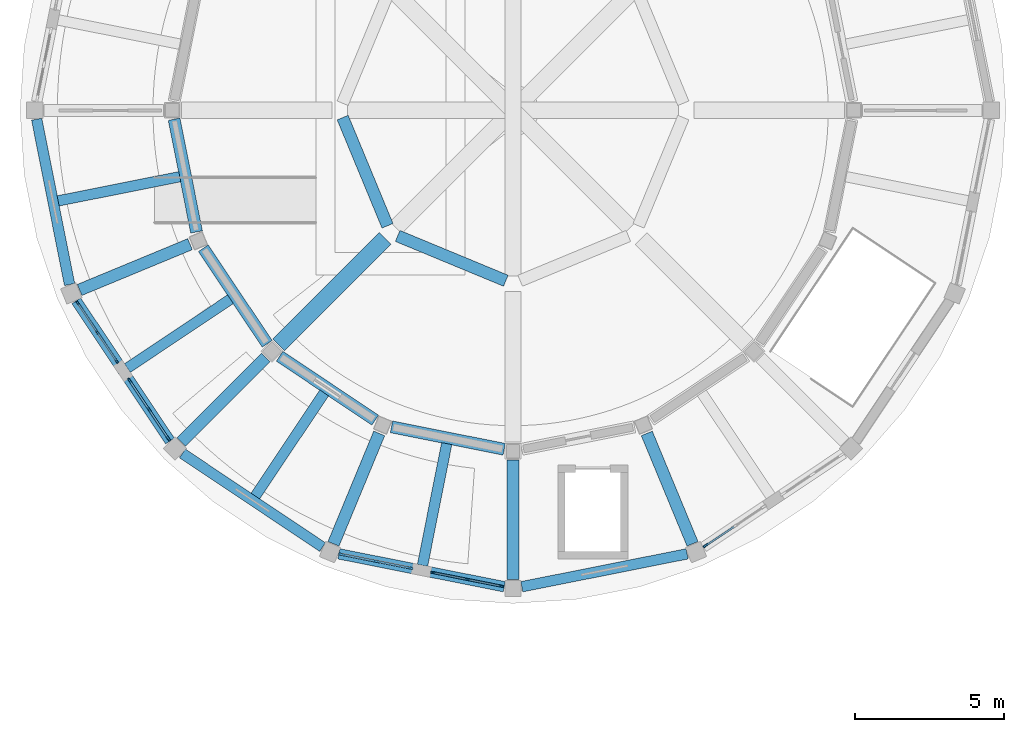
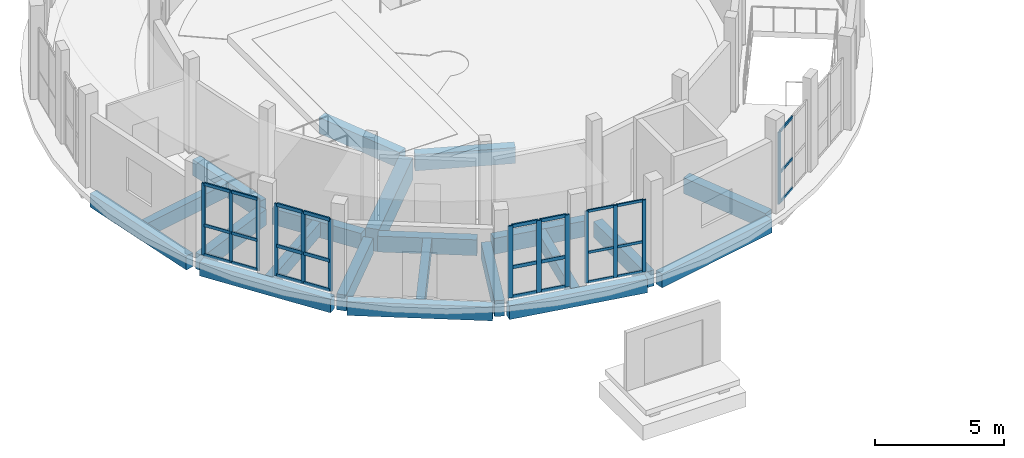
# One storey, part 37 of 92: 40 members, 21 beams, 5 elements without a shape of their own.
"""IFC4 building model written with IfcOpenShell, lengths in metres."""

import ifcopenshell
import ifcopenshell.guid

model = None  # the IFC model being written
_history = None  # IfcOwnerHistory: only IFC2X3 demands one
_inside = {}  # id of a spatial element -> (the spatial element, [elements in it])
_under = {}  # id of a project, library or spatial element -> (it, [spatial elements below it])
_declared = {}  # id of a project -> (the project, [libraries it declares])
_typed = {}  # id of a type object -> (the type object, [elements of that type])
_made_of = {}  # id of a material, layer set ... -> (it, [elements and type objects made of it])


def new_model(schema):
    """Start an empty IFC model of exactly this schema.

    Asked for "IFC4X3", IfcOpenShell would pick the latest addendum, in which some entities
    have other attributes; the version numbers below select the first issue.
    IFC2X3 requires an IfcOwnerHistory on every rooted entity: one is made here for all.
    """
    global model, _history
    if schema == "IFC4X3":
        model = ifcopenshell.file(schema_version=(4, 3, 0, 0))
    else:
        model = ifcopenshell.file(schema=schema)
    _inside.clear()
    _under.clear()
    _declared.clear()
    _typed.clear()
    _made_of.clear()
    _history = None
    if model.schema == "IFC2X3":
        org = make("IfcOrganization", Name="unknown")
        user = make(
            "IfcPersonAndOrganization",
            ThePerson=make("IfcPerson", FamilyName="unknown"),
            TheOrganization=org,
        )
        app = make(
            "IfcApplication",
            ApplicationDeveloper=org,
            Version="unknown",
            ApplicationFullName="unknown",
            ApplicationIdentifier="unknown",
        )
        _history = make(
            "IfcOwnerHistory",
            OwningUser=user,
            OwningApplication=app,
            ChangeAction="ADDED",
            CreationDate=0,
        )
    return model


def make(cls, **values):
    """One entity of the class cls with the attributes given. An attribute that is None is left unset."""
    return model.create_entity(
        cls, **{name: value for name, value in values.items() if value is not None}
    )


def rooted(cls, **values):
    """An entity with a GlobalId (a new one), such as an element, a storey or a relation."""
    return make(cls, GlobalId=ifcopenshell.guid.new(), OwnerHistory=_history, **values)


def si_unit(unit_type, name, prefix=None):
    """IfcSIUnit, for example si_unit("LENGTHUNIT", "METRE", prefix="MILLI")."""
    return make("IfcSIUnit", UnitType=unit_type, Prefix=prefix, Name=name)


def assignment(units):
    """IfcUnitAssignment: the units of a project."""
    return None if units is None else make("IfcUnitAssignment", Units=units)


def point(xyz):
    """IfcCartesianPoint."""
    return None if xyz is None else make("IfcCartesianPoint", Coordinates=xyz)


def direction(xyz):
    """IfcDirection."""
    return None if xyz is None else make("IfcDirection", DirectionRatios=xyz)


def frame(location, z_axis=None, x_axis=None):
    """IfcAxis2Placement3D, a coordinate frame: its origin and axes. An axis left out is left unset."""
    return make(
        "IfcAxis2Placement3D",
        Location=point(location),
        Axis=direction(z_axis),
        RefDirection=direction(x_axis),
    )


def frame_2d(location, x_axis=None):
    """IfcAxis2Placement2D, a coordinate frame in the plane: its origin and x axis."""
    return make(
        "IfcAxis2Placement2D", Location=point(location), RefDirection=direction(x_axis)
    )


def origin():
    """The frame at (0, 0, 0) with its axes left unset."""
    return frame((0.0, 0.0, 0.0))


def origin_2d():
    """The frame at (0, 0) in the plane with its x axis left unset."""
    return frame_2d((0.0, 0.0))


def place(relative_to, where):
    """IfcLocalPlacement: puts the frame where relative to a parent placement (None: the world)."""
    return make(
        "IfcLocalPlacement", PlacementRelTo=relative_to, RelativePlacement=where
    )


def context(
    kind, dimensions, precision=None, world=None, true_north=None, identifier=None
):
    """IfcGeometricRepresentationContext, for example the 3D "Model" context."""
    return make(
        "IfcGeometricRepresentationContext",
        ContextIdentifier=identifier,
        ContextType=kind,
        CoordinateSpaceDimension=dimensions,
        Precision=precision,
        WorldCoordinateSystem=world,
        TrueNorth=true_north,
    )


def subcontext(parent, identifier, kind, view, scale=None):
    """IfcGeometricRepresentationSubContext, for example "Body" below "Model"."""
    return make(
        "IfcGeometricRepresentationSubContext",
        ContextIdentifier=identifier,
        ContextType=kind,
        ParentContext=parent,
        TargetScale=scale,
        TargetView=view,
    )


def project(units=None, contexts=None):
    """IfcProject with its units and contexts."""
    return rooted(
        "IfcProject",
        Name="project",
        RepresentationContexts=contexts,
        UnitsInContext=assignment(units),
    )


def spatial(cls, under=None, at=None, **own):
    """A site, building, storey or space (cls), placed at a placement, below another one or the project."""
    s = rooted(cls, ObjectPlacement=at, **own)
    if under is not None:
        _under.setdefault(under.id(), (under, []))[1].append(s)
    return s


def profile(cls, at=None, kind="AREA", **sizes):
    """A parametric profile (cls). Its sizes go by their IFC names, for example OverallWidth=200.0."""
    return make(cls, ProfileType=kind, Position=at, **sizes)


def rectangle(**sizes):
    """IfcRectangleProfileDef."""
    return profile("IfcRectangleProfileDef", **sizes)


def extrude(swept, where, along, depth):
    """IfcExtrudedAreaSolid: the profile swept, set in the frame where, extruded along a direction by depth."""
    return make(
        "IfcExtrudedAreaSolid",
        SweptArea=swept,
        Position=where,
        ExtrudedDirection=direction(along),
        Depth=depth,
    )


def shape(context_of_items, identifier, shape_type, items):
    """IfcShapeRepresentation: the items that make up one representation, for example the "Body"."""
    return make(
        "IfcShapeRepresentation",
        ContextOfItems=context_of_items,
        RepresentationIdentifier=identifier,
        RepresentationType=shape_type,
        Items=items,
    )


def material(Name=None, Category=None):
    """IfcMaterial."""
    return make("IfcMaterial", Name=Name, Category=Category)


def layer(
    of_material, thickness, ventilated=None, Name=None, Category=None, Priority=None
):
    """IfcMaterialLayer: one layer of a wall or slab, of a material (None: an air gap)."""
    return make(
        "IfcMaterialLayer",
        Material=of_material,
        LayerThickness=thickness,
        IsVentilated=ventilated,
        Name=Name,
        Category=Category,
        Priority=Priority,
    )


def layer_set(layers, Name=None):
    """IfcMaterialLayerSet."""
    return make("IfcMaterialLayerSet", MaterialLayers=layers, LayerSetName=Name)


def material_profile(
    of_material, cross_section, Name=None, Category=None, Priority=None
):
    """IfcMaterialProfile: a cross section and its material."""
    return make(
        "IfcMaterialProfile",
        Name=Name,
        Material=of_material,
        Profile=cross_section,
        Priority=Priority,
        Category=Category,
    )


def profile_set(profiles, Name=None, composite=None):
    """IfcMaterialProfileSet."""
    return make(
        "IfcMaterialProfileSet",
        Name=Name,
        MaterialProfiles=profiles,
        CompositeProfile=composite,
    )


def made_of(thing, what):
    """Note that an element or type object is made of a material, layer set ...; save() writes the relation."""
    if what is not None:
        _made_of.setdefault(what.id(), (what, []))[1].append(thing)
    return thing


def type_object(cls, material=None, **own):
    """A type object (cls), such as IfcWallType, which elements share."""
    return made_of(rooted(cls, **own), material)


def element(
    cls,
    number,
    at=None,
    inside=None,
    cuts=None,
    type_object=None,
    material=None,
    context=None,
    identifier="Body",
    shape_type=None,
    held_by="IfcProductDefinitionShape",
    body=None,
    shapes=None,
    **own,
):
    """One element of the class cls, such as IfcWall. Its Tag is "e" and its number.

    at: its placement. inside: the storey or other place that contains it. cuts: it is an
    opening in that element (IfcRelVoidsElement). A single representation is given by context,
    identifier, shape_type and body (its items); several are given by shapes. held_by: the class
    of the entity that holds the representations. save() writes the other relations.
    """
    e = rooted(cls, Tag="e%d" % number, ObjectPlacement=at, **own)
    if body is not None:
        shapes = [shape(context, identifier, shape_type, body)]
    if shapes is not None:
        e.Representation = make(held_by, Representations=shapes)
    if inside is not None:
        _inside.setdefault(inside.id(), (inside, []))[1].append(e)
    if cuts is not None:
        rooted(
            "IfcRelVoidsElement", RelatingBuildingElement=cuts, RelatedOpeningElement=e
        )
    if type_object is not None:
        _typed.setdefault(type_object.id(), (type_object, []))[1].append(e)
    return made_of(e, material)


def aggregate(whole, parts):
    """IfcRelAggregates: a whole, such as a stair, and the parts it consists of."""
    return rooted("IfcRelAggregates", RelatingObject=whole, RelatedObjects=parts)


def save(model, path):
    """Write the relations noted so far, then the file.

    IfcRelAggregates (storeys below a building ...), IfcRelContainedInSpatialStructure (elements
    in a storey), IfcRelDefinesByType, IfcRelAssociatesMaterial and IfcRelDeclares: one each for
    every whole, place, type object, material and project.
    """
    for whole, parts in _under.values():
        aggregate(whole, parts)
    for where, things in _inside.values():
        rooted(
            "IfcRelContainedInSpatialStructure",
            RelatedElements=things,
            RelatingStructure=where,
        )
    for kind, things in _typed.values():
        rooted("IfcRelDefinesByType", RelatedObjects=things, RelatingType=kind)
    for what, things in _made_of.values():
        rooted("IfcRelAssociatesMaterial", RelatedObjects=things, RelatingMaterial=what)
    for by, libraries in _declared.values():
        rooted("IfcRelDeclares", RelatingContext=by, RelatedDefinitions=libraries)
    model.write(path)


model = new_model("IFC4")

# Units and contexts
model_context = context("Model", 3, precision=1e-05, world=origin(), true_north=direction((0.0, 1.0)))
body_context = subcontext(model_context, "Body", "Model", "MODEL_VIEW")
ifc_project = project(units=[si_unit("LENGTHUNIT", "METRE"), si_unit("AREAUNIT", "SQUARE_METRE"), si_unit("VOLUMEUNIT", "CUBIC_METRE"), si_unit("PLANEANGLEUNIT", "RADIAN"), si_unit("MASSUNIT", "GRAM", prefix="KILO")], contexts=[model_context])

# Site, building, storey
site_placement = place(None, origin())
site = spatial("IfcSite", under=ifc_project, at=site_placement, CompositionType="ELEMENT")
building_placement = place(site_placement, origin())
building = spatial("IfcBuilding", under=site, at=building_placement, Name="Caldaven Crescent School", CompositionType="ELEMENT")
storey_placement = place(building_placement, origin())
storey = spatial("IfcBuildingStorey", under=building, at=storey_placement, Name="L00", CompositionType="ELEMENT", Elevation=0.0)

# Beams
ifc_material_1 = material(Name="Concrete C30/37", Category="concrete")
ifc_material_profile_1 = material_profile(ifc_material_1, rectangle(XDim=0.35009765625, YDim=0.64990234375, at=origin_2d()), Name="RC 350x650")
ifc_profile_set_1 = profile_set([ifc_material_profile_1], Name="Concrete C30/37")
beam_type_1 = type_object("IfcBeamType", Name="BM-RC35", PredefinedType="BEAM", material=ifc_profile_set_1)
beam_1_placement = place(storey_placement, frame((12.34765625, 96.28173828125, -0.5849609375), z_axis=(-0.980781447665, -0.195109589505, 0.0), x_axis=(0.195109589505, -0.980781447665, 0.0)))
element("IfcBeam", 1, at=beam_1_placement, inside=storey, type_object=beam_type_1, Name="JS-V2-L00-0256", PredefinedType="BEAM", context=body_context, shape_type="SweptSolid", body=[
    extrude(rectangle(XDim=0.35009765625, YDim=0.64990234375, at=origin_2d()), origin(), (0.0, 0.0, 1.0), 4.15185546875),
])
for number, where, z_axis, x_axis, name in (
    (2, (14.04541015625, 92.1826171875, -0.5849609375), (-0.831479874258, -0.55555487461, 0.0), (0.55555487461, -0.831479874258, 0.0), "JS-V2-L00-0260"),
    (3, (17.1826171875, 89.04541015625, -0.5849609375), (-0.55555487461, -0.831479874258, 0.0), (0.831479874258, -0.55555487461, 0.0), "JS-V2-L00-0266"),
):
    element("IfcBeam", number, at=place(storey_placement, frame(where, z_axis=z_axis, x_axis=x_axis)), inside=storey, type_object=beam_type_1, Name=name, PredefinedType="BEAM", context=body_context, shape_type="SweptSolid", body=[
        extrude(rectangle(XDim=0.35009765625, YDim=0.64990234375, at=origin_2d()), origin(), (0.0, 0.0, 1.0), 4.151611328125),
    ])
beam_2_placement = place(storey_placement, frame((21.28173828125, 87.34765625, -0.5849609375), z_axis=(-0.195109589505, -0.980781447665, 0.0), x_axis=(0.980781447665, -0.195109589505, 0.0)))
element("IfcBeam", 4, at=beam_2_placement, inside=storey, type_object=beam_type_1, Name="JS-V2-L00-0270", PredefinedType="BEAM", context=body_context, shape_type="SweptSolid", body=[
    extrude(rectangle(XDim=0.35009765625, YDim=0.64990234375, at=origin_2d()), origin(), (0.0, 0.0, 1.0), 4.15185546875),
])
ifc_material_2 = material(Name="Concrete C35/45", Category="concrete")
ifc_material_profile_2 = material_profile(ifc_material_2, rectangle(XDim=0.39990234375, YDim=0.75, at=origin_2d()), Name="RC 400x750")
ifc_profile_set_2 = profile_set([ifc_material_profile_2], Name="Concrete C35/45")
beam_type_2 = type_object("IfcBeamType", Name="BM-RC40", PredefinedType="BEAM", material=ifc_profile_set_2)
beam_3_placement = place(storey_placement, frame((17.799560546875, 98.259765625, -0.635009765625), z_axis=(0.382672726631, -0.923883966899, 0.0), x_axis=(0.923883966899, 0.382672726631, 0.0)))
element("IfcBeam", 5, at=beam_3_placement, inside=storey, type_object=beam_type_2, Name="BM-V2-L00-0251", PredefinedType="BEAM", context=body_context, shape_type="SweptSolid", body=[
    extrude(rectangle(XDim=0.39990234375, YDim=0.75, at=origin_2d()), origin(), (0.0, 0.0, 1.0), 3.919189453125),
])
beam_4_placement = place(storey_placement, frame((12.158447265625, 98.205810546875, -0.635009765625), z_axis=(0.195091158895, -0.980785113937, 0.0), x_axis=(0.980785113937, 0.195091158895, 0.0)))
element("IfcBeam", 6, at=beam_4_placement, inside=storey, type_object=beam_type_2, Name="BM-V2-L00-0254", PredefinedType="BEAM", context=body_context, shape_type="SweptSolid", body=[
    extrude(rectangle(XDim=0.39990234375, YDim=0.75, at=origin_2d()), origin(), (0.0, 0.0, 1.0), 3.84814453125),
])
beam_5_placement = place(storey_placement, frame((12.690673828125, 94.022705078125, -0.635009765625), z_axis=(-0.923878468529, -0.382686001036, 0.0), x_axis=(0.382686001036, -0.923878468529, 0.0)))
element("IfcBeam", 7, at=beam_5_placement, inside=storey, type_object=beam_type_2, Name="BM-V2-L00-0257", PredefinedType="BEAM", context=body_context, shape_type="SweptSolid", body=[
    extrude(rectangle(XDim=0.39990234375, YDim=0.75, at=origin_2d()), origin(), (0.0, 0.0, 1.0), 4.0),
])
beam_6_placement = place(storey_placement, frame((13.134521484375, 93.887939453125, -0.635009765625), z_axis=(0.555549132006, -0.831483711162, 0.0), x_axis=(0.831483711162, 0.555549132006, 0.0)))
element("IfcBeam", 8, at=beam_6_placement, inside=storey, type_object=beam_type_2, Name="BM-V2-L00-0258", PredefinedType="BEAM", context=body_context, shape_type="SweptSolid", body=[
    extrude(rectangle(XDim=0.39990234375, YDim=0.75, at=origin_2d()), origin(), (0.0, 0.0, 1.0), 3.847900390625),
])
beam_7_placement = place(storey_placement, frame((19.638916015625, 94.29931640625, -0.635009765625), z_axis=(0.923883966899, -0.382672726631, 0.0), x_axis=(0.382672726631, 0.923883966899, 0.0)))
element("IfcBeam", 9, at=beam_7_placement, inside=storey, type_object=beam_type_2, Name="BM-V2-L00-0261", PredefinedType="BEAM", context=body_context, shape_type="SweptSolid", body=[
    extrude(rectangle(XDim=0.39990234375, YDim=0.75, at=origin_2d()), origin(), (0.0, 0.0, 1.0), 3.919189453125),
])
beam_8_placement = place(storey_placement, frame((15.226806640625, 90.226806640625, -0.635009765625), z_axis=(-0.707106781187, -0.707106781187, 0.0), x_axis=(0.707106781187, -0.707106781187, 0.0)))
element("IfcBeam", 10, at=beam_8_placement, inside=storey, type_object=beam_type_2, Name="BM-V2-L00-0263", PredefinedType="BEAM", context=body_context, shape_type="SweptSolid", body=[
    extrude(rectangle(XDim=0.39990234375, YDim=0.75, at=origin_2d()), origin(), (0.0, 0.0, 1.0), 4.0),
])
beam_9_placement = place(storey_placement, frame((15.6884765625, 90.272216796875, -0.635009765625), z_axis=(0.831483711162, -0.555549132006, 0.0), x_axis=(0.555549132006, 0.831483711162, 0.0)))
element("IfcBeam", 11, at=beam_9_placement, inside=storey, type_object=beam_type_2, Name="BM-V2-L00-0264", PredefinedType="BEAM", context=body_context, shape_type="SweptSolid", body=[
    extrude(rectangle(XDim=0.39990234375, YDim=0.75, at=origin_2d()), origin(), (0.0, 0.0, 1.0), 3.847900390625),
])
beam_10_placement = place(storey_placement, frame((19.022705078125, 87.690673828125, -0.635009765625), z_axis=(-0.382686001036, -0.923878468529, 0.0), x_axis=(0.923878468529, -0.382686001036, 0.0)))
element("IfcBeam", 12, at=beam_10_placement, inside=storey, type_object=beam_type_2, Name="BM-V2-L00-0267", PredefinedType="BEAM", context=body_context, shape_type="SweptSolid", body=[
    extrude(rectangle(XDim=0.39990234375, YDim=0.75, at=origin_2d()), origin(), (0.0, 0.0, 1.0), 4.0),
])
beam_11_placement = place(storey_placement, frame((19.431640625, 87.9091796875, -0.635009765625), z_axis=(0.980785113937, -0.195091158895, 0.0), x_axis=(0.195091158895, 0.980785113937, 0.0)))
element("IfcBeam", 13, at=beam_11_placement, inside=storey, type_object=beam_type_2, Name="BM-V2-L00-0268", PredefinedType="BEAM", context=body_context, shape_type="SweptSolid", body=[
    extrude(rectangle(XDim=0.39990234375, YDim=0.75, at=origin_2d()), origin(), (0.0, 0.0, 1.0), 3.84814453125),
])
for number, where, z_axis, x_axis, name in (
    (14, (23.5, 86.800048828125, -0.635009765625), (0.0, -1.0, 0.0), (1.0, 0.0, 0.0), "BM-V2-L00-0273"),
    (15, (27.977294921875, 87.690673828125, -0.635009765625), (0.382686001036, -0.923878468529, 0.0), (0.923878468529, 0.382686001036, 0.0), "BM-V2-L00-0276"),
):
    element("IfcBeam", number, at=place(storey_placement, frame(where, z_axis=z_axis, x_axis=x_axis)), inside=storey, type_object=beam_type_2, Name=name, PredefinedType="BEAM", context=body_context, shape_type="SweptSolid", body=[
        extrude(rectangle(XDim=0.39990234375, YDim=0.75, at=origin_2d()), origin(), (0.0, 0.0, 1.0), 4.0),
    ])
ifc_material_profile_3 = material_profile(ifc_material_2, rectangle(XDim=0.550048828125, YDim=1.050048828125, at=origin_2d()), Name="RC 550x1050")
ifc_profile_set_3 = profile_set([ifc_material_profile_3], Name="Concrete C35/45")
beam_type_3 = type_object("IfcBeamType", Name="BM-RC55", PredefinedType="BEAM", material=ifc_profile_set_3)
beam_12_placement = place(storey_placement, frame((19.21484375, 94.21484375, -0.784912109375), z_axis=(-0.707106781187, -0.707106781187, 0.0), x_axis=(0.707106781187, -0.707106781187, 0.0)))
element("IfcBeam", 16, at=beam_12_placement, inside=storey, type_object=beam_type_3, Name="BM-V2-L00-0262", PredefinedType="BEAM", context=body_context, shape_type="SweptSolid", body=[
    extrude(rectangle(XDim=0.550048828125, YDim=1.050048828125, at=origin_2d()), origin(), (0.0, 0.0, 1.0), 5.039794921875),
])

# Curtain wall, members
ifc_material_3 = material(Name="Anodised aluminium AA 6063-T6 and low-E double glazing", Category="aluminium")
ifc_layer_1 = layer(ifc_material_3, 0.18994140625)
ifc_layer_set_1 = layer_set([ifc_layer_1], Name="Anodised aluminium AA 6063-T6 and low-E double glazing")
curtain_wall_type_1 = type_object("IfcCurtainWallType", Name="CW-SYS2", PredefinedType="NOTDEFINED", material=ifc_layer_set_1)
curtain_wall_1_placement = place(storey_placement, origin())
curtain_wall_1 = element("IfcCurtainWall", 17, at=curtain_wall_1_placement, inside=storey, type_object=curtain_wall_type_1, Name="CW-L00-049", PredefinedType="NOTDEFINED")
ifc_material_4 = material(Name="Anodised aluminium AA 6063-T6", Category="aluminium")
ifc_material_profile_4 = material_profile(ifc_material_4, rectangle(XDim=0.06005859375, YDim=0.14990234375, at=origin_2d()), Name="CWM 60x150")
ifc_profile_set_4 = profile_set([ifc_material_profile_4], Name="Anodised aluminium AA 6063-T6")
member_type_1 = type_object("IfcMemberType", Name="CWM-T1", PredefinedType="MULLION", material=ifc_profile_set_4)
member_1_placement = place(storey_placement, frame((8.9345703125, 92.052734375, 0.0), z_axis=(0.0, 0.0, 1.0), x_axis=(0.831470060825, 0.555569561758, 0.0)))
member_1 = element("IfcMember", 18, at=member_1_placement, type_object=member_type_1, Name="CW2 mullion 1", PredefinedType="MULLION", context=body_context, shape_type="SweptSolid", body=[
    extrude(rectangle(XDim=0.06005859375, YDim=0.14990234375, at=origin_2d()), origin(), (0.0, 0.0, 1.0), 3.39990234375),
])
member_2_placement = place(storey_placement, frame((9.5849609375, 91.079345703125, 0.0), z_axis=(0.0, 0.0, 1.0), x_axis=(0.831470060825, 0.555569561758, 0.0)))
member_2 = element("IfcMember", 19, at=member_2_placement, type_object=member_type_1, Name="CW2 mullion 2", PredefinedType="MULLION", context=body_context, shape_type="SweptSolid", body=[
    extrude(rectangle(XDim=0.06005859375, YDim=0.14990234375, at=origin_2d()), origin(), (0.0, 0.0, 1.0), 3.39990234375),
])
member_3_placement = place(storey_placement, frame((10.2353515625, 90.10595703125, 0.0), z_axis=(0.0, 0.0, 1.0), x_axis=(0.831470060825, 0.555569561758, 0.0)))
member_3 = element("IfcMember", 20, at=member_3_placement, type_object=member_type_1, Name="CW2 mullion 3", PredefinedType="MULLION", context=body_context, shape_type="SweptSolid", body=[
    extrude(rectangle(XDim=0.06005859375, YDim=0.14990234375, at=origin_2d()), origin(), (0.0, 0.0, 1.0), 3.39990234375),
])

ifc_layer_2 = layer(ifc_material_3, 0.169921875)
ifc_layer_set_2 = layer_set([ifc_layer_2], Name="Anodised aluminium AA 6063-T6 and low-E double glazing")
curtain_wall_type_2 = type_object("IfcCurtainWallType", Name="CW-SYS1", PredefinedType="NOTDEFINED", material=ifc_layer_set_2)
curtain_wall_2_placement = place(storey_placement, origin())
curtain_wall_2 = element("IfcCurtainWall", 21, at=curtain_wall_2_placement, inside=storey, type_object=curtain_wall_type_2, Name="CW-L00-052", PredefinedType="NOTDEFINED")
member_4_placement = place(storey_placement, frame((20.821044921875, 83.032958984375, 0.0), z_axis=(0.0, 0.0, 1.0), x_axis=(0.19509100343, 0.980785144861, 0.0)))
member_4 = element("IfcMember", 22, at=member_4_placement, type_object=member_type_1, Name="CW1 mullion 1", PredefinedType="MULLION", context=body_context, shape_type="SweptSolid", body=[
    extrude(rectangle(XDim=0.06005859375, YDim=0.14990234375, at=origin_2d()), origin(), (0.0, 0.0, 1.0), 3.39990234375),
])
member_5_placement = place(storey_placement, frame((21.96923828125, 82.804443359375, 0.0), z_axis=(0.0, 0.0, 1.0), x_axis=(0.19509100343, 0.980785144861, 0.0)))
member_5 = element("IfcMember", 23, at=member_5_placement, type_object=member_type_1, Name="CW1 mullion 2", PredefinedType="MULLION", context=body_context, shape_type="SweptSolid", body=[
    extrude(rectangle(XDim=0.06005859375, YDim=0.14990234375, at=origin_2d()), origin(), (0.0, 0.0, 1.0), 3.39990234375),
])
member_6_placement = place(storey_placement, frame((23.117431640625, 82.576171875, 0.0), z_axis=(0.0, 0.0, 1.0), x_axis=(0.19509100343, 0.980785144861, 0.0)))
member_6 = element("IfcMember", 24, at=member_6_placement, type_object=member_type_1, Name="CW1 mullion 3", PredefinedType="MULLION", context=body_context, shape_type="SweptSolid", body=[
    extrude(rectangle(XDim=0.06005859375, YDim=0.14990234375, at=origin_2d()), origin(), (0.0, 0.0, 1.0), 3.39990234375),
])

ifc_layer_3 = layer(ifc_material_3, 0.2099609375)
ifc_layer_set_3 = layer_set([ifc_layer_3], Name="Anodised aluminium AA 6063-T6 and low-E double glazing")
curtain_wall_type_3 = type_object("IfcCurtainWallType", Name="CW-SYS3", PredefinedType="NOTDEFINED", material=ifc_layer_set_3)
curtain_wall_3_placement = place(storey_placement, origin())
curtain_wall_3 = element("IfcCurtainWall", 25, at=curtain_wall_3_placement, inside=storey, type_object=curtain_wall_type_3, Name="CW-L00-050", PredefinedType="NOTDEFINED")
ifc_material_profile_5 = material_profile(ifc_material_4, rectangle(XDim=0.06494140625, YDim=0.179931640625, at=origin_2d()), Name="CWM 65x180")
ifc_profile_set_5 = profile_set([ifc_material_profile_5], Name="Anodised aluminium AA 6063-T6")
member_type_2 = type_object("IfcMemberType", Name="CWM-T2", PredefinedType="MULLION", material=ifc_profile_set_5)
member_7_placement = place(storey_placement, frame((10.670166015625, 89.455322265625, 0.0), z_axis=(0.0, 0.0, 1.0), x_axis=(0.831468137234, 0.555572440609, 0.0)))
member_7 = element("IfcMember", 26, at=member_7_placement, type_object=member_type_2, Name="CW3 mullion 1", PredefinedType="MULLION", context=body_context, shape_type="SweptSolid", body=[
    extrude(rectangle(XDim=0.06494140625, YDim=0.179931640625, at=origin_2d()), origin(), (0.0, 0.0, 1.0), 3.39990234375),
])
member_8_placement = place(storey_placement, frame((11.319091796875, 88.48388671875, 0.0), z_axis=(0.0, 0.0, 1.0), x_axis=(0.831468137234, 0.555572440609, 0.0)))
member_8 = element("IfcMember", 27, at=member_8_placement, type_object=member_type_2, Name="CW3 mullion 2", PredefinedType="MULLION", context=body_context, shape_type="SweptSolid", body=[
    extrude(rectangle(XDim=0.06494140625, YDim=0.179931640625, at=origin_2d()), origin(), (0.0, 0.0, 1.0), 3.39990234375),
])
member_9_placement = place(storey_placement, frame((11.96826171875, 87.5126953125, 0.0), z_axis=(0.0, 0.0, 1.0), x_axis=(0.831468137234, 0.555572440609, 0.0)))
member_9 = element("IfcMember", 28, at=member_9_placement, type_object=member_type_2, Name="CW3 mullion 3", PredefinedType="MULLION", context=body_context, shape_type="SweptSolid", body=[
    extrude(rectangle(XDim=0.06494140625, YDim=0.179931640625, at=origin_2d()), origin(), (0.0, 0.0, 1.0), 3.39990234375),
])

# Curtain wall, member
curtain_wall_4_placement = place(storey_placement, origin())
curtain_wall_4 = element("IfcCurtainWall", 29, at=curtain_wall_4_placement, inside=storey, type_object=curtain_wall_type_1, Name="CW-L00-053", PredefinedType="NOTDEFINED")
member_10_placement = place(storey_placement, frame((29.94921875, 83.93603515625, 0.0), z_axis=(0.0, 0.0, 1.0), x_axis=(-0.555569561758, 0.831470060825, 0.0)))
member_10 = element("IfcMember", 30, at=member_10_placement, type_object=member_type_2, Name="CW2 mullion 1", PredefinedType="MULLION", context=body_context, shape_type="SweptSolid", body=[
    extrude(rectangle(XDim=0.06494140625, YDim=0.179931640625, at=origin_2d()), origin(), (0.0, 0.0, 1.0), 3.39990234375),
])

# Curtain wall, members
ifc_layer_4 = layer(ifc_material_3, 0.22998046875)
ifc_layer_set_4 = layer_set([ifc_layer_4], Name="Anodised aluminium AA 6063-T6 and low-E double glazing")
curtain_wall_type_4 = type_object("IfcCurtainWallType", Name="CW-SYS4", PredefinedType="NOTDEFINED", material=ifc_layer_set_4)
curtain_wall_5_placement = place(storey_placement, origin())
curtain_wall_5 = element("IfcCurtainWall", 31, at=curtain_wall_5_placement, inside=storey, type_object=curtain_wall_type_4, Name="CW-L00-051", PredefinedType="NOTDEFINED")
ifc_material_profile_6 = material_profile(ifc_material_4, rectangle(XDim=0.070068359375, YDim=0.2099609375, at=origin_2d()), Name="CWM 70x210")
ifc_profile_set_6 = profile_set([ifc_material_profile_6], Name="Anodised aluminium AA 6063-T6")
member_type_3 = type_object("IfcMemberType", Name="CWM-T3", PredefinedType="MULLION", material=ifc_profile_set_6)
member_11_placement = place(storey_placement, frame((17.764404296875, 83.640869140625, 0.0), z_axis=(0.0, 0.0, 1.0), x_axis=(0.195086997747, 0.980785941636, 0.0)))
member_11 = element("IfcMember", 32, at=member_11_placement, type_object=member_type_3, Name="CW4 mullion 1", PredefinedType="MULLION", context=body_context, shape_type="SweptSolid", body=[
    extrude(rectangle(XDim=0.070068359375, YDim=0.2099609375, at=origin_2d()), origin(), (0.0, 0.0, 1.0), 3.39990234375),
])
member_12_placement = place(storey_placement, frame((18.90771484375, 83.413330078125, 0.0), z_axis=(0.0, 0.0, 1.0), x_axis=(0.195086997747, 0.980785941636, 0.0)))
member_12 = element("IfcMember", 33, at=member_12_placement, type_object=member_type_3, Name="CW4 mullion 2", PredefinedType="MULLION", context=body_context, shape_type="SweptSolid", body=[
    extrude(rectangle(XDim=0.070068359375, YDim=0.2099609375, at=origin_2d()), origin(), (0.0, 0.0, 1.0), 3.39990234375),
])
member_13_placement = place(storey_placement, frame((20.051025390625, 83.18603515625, 0.0), z_axis=(0.0, 0.0, 1.0), x_axis=(0.195086997747, 0.980785941636, 0.0)))
member_13 = element("IfcMember", 34, at=member_13_placement, type_object=member_type_3, Name="CW4 mullion 3", PredefinedType="MULLION", context=body_context, shape_type="SweptSolid", body=[
    extrude(rectangle(XDim=0.070068359375, YDim=0.2099609375, at=origin_2d()), origin(), (0.0, 0.0, 1.0), 3.39990234375),
])

# Member
ifc_material_profile_7 = material_profile(ifc_material_4, rectangle(XDim=0.06005859375, YDim=0.1201171875, at=origin_2d()), Name="CWT 60x120")
ifc_profile_set_7 = profile_set([ifc_material_profile_7], Name="Anodised aluminium AA 6063-T6")
member_type_4 = type_object("IfcMemberType", Name="CWT-T1", PredefinedType="USERDEFINED", material=ifc_profile_set_7)
member_14_placement = place(storey_placement, frame((20.8505859375, 83.027099609375, 0.030029296875), z_axis=(0.98076622288, -0.195186106212, 0.0), x_axis=(0.195186106212, 0.98076622288, 0.0)))
member_14 = element("IfcMember", 35, at=member_14_placement, type_object=member_type_4, Name="CW1 transom 1.1", ObjectType="TRANSOM", PredefinedType="USERDEFINED", context=body_context, shape_type="SweptSolid", body=[
    extrude(rectangle(XDim=0.06005859375, YDim=0.1201171875, at=origin_2d()), origin(), (0.0, 0.0, 1.0), 1.11083984375),
])

member_15_placement = place(storey_placement, frame((20.8505859375, 83.027099609375, 1.427978515625), z_axis=(0.98076622288, -0.195186106212, 0.0), x_axis=(0.195186106212, 0.98076622288, 0.0)))
member_15 = element("IfcMember", 36, at=member_15_placement, type_object=member_type_4, Name="CW1 transom 1.2", ObjectType="TRANSOM", PredefinedType="USERDEFINED", context=body_context, shape_type="SweptSolid", body=[
    extrude(rectangle(XDim=0.06005859375, YDim=0.1201171875, at=origin_2d()), origin(), (0.0, 0.0, 1.0), 1.11083984375),
])

member_16_placement = place(storey_placement, frame((20.8505859375, 83.027099609375, 3.3701171875), z_axis=(0.98076622288, -0.195186106212, 0.0), x_axis=(0.195186106212, 0.98076622288, 0.0)))
member_16 = element("IfcMember", 37, at=member_16_placement, type_object=member_type_4, Name="CW1 transom 1.3", ObjectType="TRANSOM", PredefinedType="USERDEFINED", context=body_context, shape_type="SweptSolid", body=[
    extrude(rectangle(XDim=0.06005859375, YDim=0.1201171875, at=origin_2d()), origin(), (0.0, 0.0, 1.0), 1.11083984375),
])

member_17_placement = place(storey_placement, frame((21.998779296875, 82.798583984375, 0.030029296875), z_axis=(0.980808279432, -0.194974662451, 0.0), x_axis=(0.194974662451, 0.980808279432, 0.0)))
member_17 = element("IfcMember", 38, at=member_17_placement, type_object=member_type_4, Name="CW1 transom 2.1", ObjectType="TRANSOM", PredefinedType="USERDEFINED", context=body_context, shape_type="SweptSolid", body=[
    extrude(rectangle(XDim=0.06005859375, YDim=0.1201171875, at=origin_2d()), origin(), (0.0, 0.0, 1.0), 1.110595703125),
])

member_18_placement = place(storey_placement, frame((21.998779296875, 82.798583984375, 1.427978515625), z_axis=(0.980808279432, -0.194974662451, 0.0), x_axis=(0.194974662451, 0.980808279432, 0.0)))
member_18 = element("IfcMember", 39, at=member_18_placement, type_object=member_type_4, Name="CW1 transom 2.2", ObjectType="TRANSOM", PredefinedType="USERDEFINED", context=body_context, shape_type="SweptSolid", body=[
    extrude(rectangle(XDim=0.06005859375, YDim=0.1201171875, at=origin_2d()), origin(), (0.0, 0.0, 1.0), 1.110595703125),
])

member_19_placement = place(storey_placement, frame((21.998779296875, 82.798583984375, 3.3701171875), z_axis=(0.980808279432, -0.194974662451, 0.0), x_axis=(0.194974662451, 0.980808279432, 0.0)))
member_19 = element("IfcMember", 40, at=member_19_placement, type_object=member_type_4, Name="CW1 transom 2.3", ObjectType="TRANSOM", PredefinedType="USERDEFINED", context=body_context, shape_type="SweptSolid", body=[
    extrude(rectangle(XDim=0.06005859375, YDim=0.1201171875, at=origin_2d()), origin(), (0.0, 0.0, 1.0), 1.110595703125),
])

aggregate(curtain_wall_2, [member_4, member_5, member_6, member_14, member_15, member_16, member_17, member_18, member_19])

member_20_placement = place(storey_placement, frame((29.976318359375, 83.9541015625, 0.030029296875), z_axis=(0.83150510151, 0.555517115994, 0.0), x_axis=(-0.555517115994, 0.83150510151, 0.0)))
member_20 = element("IfcMember", 41, at=member_20_placement, type_object=member_type_4, Name="CW2 transom 1.1", ObjectType="TRANSOM", PredefinedType="USERDEFINED", context=body_context, shape_type="SweptSolid", body=[
    extrude(rectangle(XDim=0.06005859375, YDim=0.1201171875, at=origin_2d()), origin(), (0.0, 0.0, 1.0), 1.10302734375),
])

member_21_placement = place(storey_placement, frame((29.976318359375, 83.9541015625, 1.427978515625), z_axis=(0.83150510151, 0.555517115994, 0.0), x_axis=(-0.555517115994, 0.83150510151, 0.0)))
member_21 = element("IfcMember", 42, at=member_21_placement, type_object=member_type_4, Name="CW2 transom 1.2", ObjectType="TRANSOM", PredefinedType="USERDEFINED", context=body_context, shape_type="SweptSolid", body=[
    extrude(rectangle(XDim=0.06005859375, YDim=0.1201171875, at=origin_2d()), origin(), (0.0, 0.0, 1.0), 1.10302734375),
])

member_22_placement = place(storey_placement, frame((29.976318359375, 83.9541015625, 3.3701171875), z_axis=(0.83150510151, 0.555517115994, 0.0), x_axis=(-0.555517115994, 0.83150510151, 0.0)))
member_22 = element("IfcMember", 43, at=member_22_placement, type_object=member_type_4, Name="CW2 transom 1.3", ObjectType="TRANSOM", PredefinedType="USERDEFINED", context=body_context, shape_type="SweptSolid", body=[
    extrude(rectangle(XDim=0.06005859375, YDim=0.1201171875, at=origin_2d()), origin(), (0.0, 0.0, 1.0), 1.10302734375),
])

aggregate(curtain_wall_4, [member_10, member_20, member_21, member_22])

ifc_material_profile_8 = material_profile(ifc_material_4, rectangle(XDim=0.06494140625, YDim=0.139892578125, at=origin_2d()), Name="CWT 65x140")
ifc_profile_set_8 = profile_set([ifc_material_profile_8], Name="Anodised aluminium AA 6063-T6")
member_type_5 = type_object("IfcMemberType", Name="CWT-T2", PredefinedType="USERDEFINED", material=ifc_profile_set_8)
member_23_placement = place(storey_placement, frame((8.951171875, 92.02783203125, 0.032470703125), z_axis=(0.555612809368, -0.831441162119, 0.0), x_axis=(0.831441162119, 0.555612809368, 0.0)))
member_23 = element("IfcMember", 44, at=member_23_placement, type_object=member_type_5, Name="CW2 transom 1.1", ObjectType="TRANSOM", PredefinedType="USERDEFINED", context=body_context, shape_type="SweptSolid", body=[
    extrude(rectangle(XDim=0.06494140625, YDim=0.139892578125, at=origin_2d()), origin(), (0.0, 0.0, 1.0), 1.11083984375),
])

member_24_placement = place(storey_placement, frame((8.951171875, 92.02783203125, 1.427978515625), z_axis=(0.555612809368, -0.831441162119, 0.0), x_axis=(0.831441162119, 0.555612809368, 0.0)))
member_24 = element("IfcMember", 45, at=member_24_placement, type_object=member_type_5, Name="CW2 transom 1.2", ObjectType="TRANSOM", PredefinedType="USERDEFINED", context=body_context, shape_type="SweptSolid", body=[
    extrude(rectangle(XDim=0.06494140625, YDim=0.139892578125, at=origin_2d()), origin(), (0.0, 0.0, 1.0), 1.11083984375),
])

member_25_placement = place(storey_placement, frame((8.951171875, 92.02783203125, 3.367431640625), z_axis=(0.555612809368, -0.831441162119, 0.0), x_axis=(0.831441162119, 0.555612809368, 0.0)))
member_25 = element("IfcMember", 46, at=member_25_placement, type_object=member_type_5, Name="CW2 transom 1.3", ObjectType="TRANSOM", PredefinedType="USERDEFINED", context=body_context, shape_type="SweptSolid", body=[
    extrude(rectangle(XDim=0.06494140625, YDim=0.139892578125, at=origin_2d()), origin(), (0.0, 0.0, 1.0), 1.11083984375),
])

member_26_placement = place(storey_placement, frame((9.6015625, 91.054443359375, 0.032470703125), z_axis=(0.555612809368, -0.831441162119, 0.0), x_axis=(0.831441162119, 0.555612809368, 0.0)))
member_26 = element("IfcMember", 47, at=member_26_placement, type_object=member_type_5, Name="CW2 transom 2.1", ObjectType="TRANSOM", PredefinedType="USERDEFINED", context=body_context, shape_type="SweptSolid", body=[
    extrude(rectangle(XDim=0.06494140625, YDim=0.139892578125, at=origin_2d()), origin(), (0.0, 0.0, 1.0), 1.11083984375),
])

member_27_placement = place(storey_placement, frame((9.6015625, 91.054443359375, 1.427978515625), z_axis=(0.555612809368, -0.831441162119, 0.0), x_axis=(0.831441162119, 0.555612809368, 0.0)))
member_27 = element("IfcMember", 48, at=member_27_placement, type_object=member_type_5, Name="CW2 transom 2.2", ObjectType="TRANSOM", PredefinedType="USERDEFINED", context=body_context, shape_type="SweptSolid", body=[
    extrude(rectangle(XDim=0.06494140625, YDim=0.139892578125, at=origin_2d()), origin(), (0.0, 0.0, 1.0), 1.11083984375),
])

member_28_placement = place(storey_placement, frame((9.6015625, 91.054443359375, 3.367431640625), z_axis=(0.555612809368, -0.831441162119, 0.0), x_axis=(0.831441162119, 0.555612809368, 0.0)))
member_28 = element("IfcMember", 49, at=member_28_placement, type_object=member_type_5, Name="CW2 transom 2.3", ObjectType="TRANSOM", PredefinedType="USERDEFINED", context=body_context, shape_type="SweptSolid", body=[
    extrude(rectangle(XDim=0.06494140625, YDim=0.139892578125, at=origin_2d()), origin(), (0.0, 0.0, 1.0), 1.11083984375),
])

aggregate(curtain_wall_1, [member_1, member_2, member_3, member_23, member_24, member_25, member_26, member_27, member_28])

ifc_material_profile_9 = material_profile(ifc_material_4, rectangle(XDim=0.070068359375, YDim=0.159912109375, at=origin_2d()), Name="CWT 70x160")
ifc_profile_set_9 = profile_set([ifc_material_profile_9], Name="Anodised aluminium AA 6063-T6")
member_type_6 = type_object("IfcMemberType", Name="CWT-T3", PredefinedType="USERDEFINED", material=ifc_profile_set_9)
member_29_placement = place(storey_placement, frame((10.688232421875, 89.42822265625, 0.034912109375), z_axis=(0.555517115994, -0.83150510151, 0.0), x_axis=(0.83150510151, 0.555517115994, 0.0)))
member_29 = element("IfcMember", 50, at=member_29_placement, type_object=member_type_6, Name="CW3 transom 1.1", ObjectType="TRANSOM", PredefinedType="USERDEFINED", context=body_context, shape_type="SweptSolid", body=[
    extrude(rectangle(XDim=0.070068359375, YDim=0.159912109375, at=origin_2d()), origin(), (0.0, 0.0, 1.0), 1.10302734375),
])

member_30_placement = place(storey_placement, frame((10.688232421875, 89.42822265625, 1.427978515625), z_axis=(0.555517115994, -0.83150510151, 0.0), x_axis=(0.83150510151, 0.555517115994, 0.0)))
member_30 = element("IfcMember", 51, at=member_30_placement, type_object=member_type_6, Name="CW3 transom 1.2", ObjectType="TRANSOM", PredefinedType="USERDEFINED", context=body_context, shape_type="SweptSolid", body=[
    extrude(rectangle(XDim=0.070068359375, YDim=0.159912109375, at=origin_2d()), origin(), (0.0, 0.0, 1.0), 1.10302734375),
])

member_31_placement = place(storey_placement, frame((10.688232421875, 89.42822265625, 3.364990234375), z_axis=(0.555517115994, -0.83150510151, 0.0), x_axis=(0.83150510151, 0.555517115994, 0.0)))
member_31 = element("IfcMember", 52, at=member_31_placement, type_object=member_type_6, Name="CW3 transom 1.3", ObjectType="TRANSOM", PredefinedType="USERDEFINED", context=body_context, shape_type="SweptSolid", body=[
    extrude(rectangle(XDim=0.070068359375, YDim=0.159912109375, at=origin_2d()), origin(), (0.0, 0.0, 1.0), 1.10302734375),
])

member_32_placement = place(storey_placement, frame((11.337158203125, 88.45703125, 0.034912109375), z_axis=(0.555567889443, -0.831471178226, 0.0), x_axis=(0.831471178226, 0.555567889443, 0.0)))
member_32 = element("IfcMember", 53, at=member_32_placement, type_object=member_type_6, Name="CW3 transom 2.1", ObjectType="TRANSOM", PredefinedType="USERDEFINED", context=body_context, shape_type="SweptSolid", body=[
    extrude(rectangle(XDim=0.070068359375, YDim=0.159912109375, at=origin_2d()), origin(), (0.0, 0.0, 1.0), 1.103515625),
])

member_33_placement = place(storey_placement, frame((11.337158203125, 88.45703125, 1.427978515625), z_axis=(0.555567889443, -0.831471178226, 0.0), x_axis=(0.831471178226, 0.555567889443, 0.0)))
member_33 = element("IfcMember", 54, at=member_33_placement, type_object=member_type_6, Name="CW3 transom 2.2", ObjectType="TRANSOM", PredefinedType="USERDEFINED", context=body_context, shape_type="SweptSolid", body=[
    extrude(rectangle(XDim=0.070068359375, YDim=0.159912109375, at=origin_2d()), origin(), (0.0, 0.0, 1.0), 1.103515625),
])

member_34_placement = place(storey_placement, frame((11.337158203125, 88.45703125, 3.364990234375), z_axis=(0.555567889443, -0.831471178226, 0.0), x_axis=(0.831471178226, 0.555567889443, 0.0)))
member_34 = element("IfcMember", 55, at=member_34_placement, type_object=member_type_6, Name="CW3 transom 2.3", ObjectType="TRANSOM", PredefinedType="USERDEFINED", context=body_context, shape_type="SweptSolid", body=[
    extrude(rectangle(XDim=0.070068359375, YDim=0.159912109375, at=origin_2d()), origin(), (0.0, 0.0, 1.0), 1.103515625),
])

aggregate(curtain_wall_3, [member_7, member_8, member_9, member_29, member_30, member_31, member_32, member_33, member_34])

member_35_placement = place(storey_placement, frame((17.798828125, 83.634033203125, 0.034912109375), z_axis=(0.98076874631, -0.195173426117, 0.0), x_axis=(0.195173426117, 0.98076874631, 0.0)))
member_35 = element("IfcMember", 56, at=member_35_placement, type_object=member_type_6, Name="CW4 transom 1.1", ObjectType="TRANSOM", PredefinedType="USERDEFINED", context=body_context, shape_type="SweptSolid", body=[
    extrude(rectangle(XDim=0.070068359375, YDim=0.159912109375, at=origin_2d()), origin(), (0.0, 0.0, 1.0), 1.095703125),
])

member_36_placement = place(storey_placement, frame((17.798828125, 83.634033203125, 1.427978515625), z_axis=(0.98076874631, -0.195173426117, 0.0), x_axis=(0.195173426117, 0.98076874631, 0.0)))
member_36 = element("IfcMember", 57, at=member_36_placement, type_object=member_type_6, Name="CW4 transom 1.2", ObjectType="TRANSOM", PredefinedType="USERDEFINED", context=body_context, shape_type="SweptSolid", body=[
    extrude(rectangle(XDim=0.070068359375, YDim=0.159912109375, at=origin_2d()), origin(), (0.0, 0.0, 1.0), 1.095703125),
])

member_37_placement = place(storey_placement, frame((17.798828125, 83.634033203125, 3.364990234375), z_axis=(0.98076874631, -0.195173426117, 0.0), x_axis=(0.195173426117, 0.98076874631, 0.0)))
member_37 = element("IfcMember", 58, at=member_37_placement, type_object=member_type_6, Name="CW4 transom 1.3", ObjectType="TRANSOM", PredefinedType="USERDEFINED", context=body_context, shape_type="SweptSolid", body=[
    extrude(rectangle(XDim=0.070068359375, YDim=0.159912109375, at=origin_2d()), origin(), (0.0, 0.0, 1.0), 1.095703125),
])

member_38_placement = place(storey_placement, frame((18.942138671875, 83.40673828125, 0.034912109375), z_axis=(0.98076874631, -0.195173426117, 0.0), x_axis=(0.195173426117, 0.98076874631, 0.0)))
member_38 = element("IfcMember", 59, at=member_38_placement, type_object=member_type_6, Name="CW4 transom 2.1", ObjectType="TRANSOM", PredefinedType="USERDEFINED", context=body_context, shape_type="SweptSolid", body=[
    extrude(rectangle(XDim=0.070068359375, YDim=0.159912109375, at=origin_2d()), origin(), (0.0, 0.0, 1.0), 1.095703125),
])

member_39_placement = place(storey_placement, frame((18.942138671875, 83.40673828125, 1.427978515625), z_axis=(0.98076874631, -0.195173426117, 0.0), x_axis=(0.195173426117, 0.98076874631, 0.0)))
member_39 = element("IfcMember", 60, at=member_39_placement, type_object=member_type_6, Name="CW4 transom 2.2", ObjectType="TRANSOM", PredefinedType="USERDEFINED", context=body_context, shape_type="SweptSolid", body=[
    extrude(rectangle(XDim=0.070068359375, YDim=0.159912109375, at=origin_2d()), origin(), (0.0, 0.0, 1.0), 1.095703125),
])

member_40_placement = place(storey_placement, frame((18.942138671875, 83.40673828125, 3.364990234375), z_axis=(0.98076874631, -0.195173426117, 0.0), x_axis=(0.195173426117, 0.98076874631, 0.0)))
member_40 = element("IfcMember", 61, at=member_40_placement, type_object=member_type_6, Name="CW4 transom 2.3", ObjectType="TRANSOM", PredefinedType="USERDEFINED", context=body_context, shape_type="SweptSolid", body=[
    extrude(rectangle(XDim=0.070068359375, YDim=0.159912109375, at=origin_2d()), origin(), (0.0, 0.0, 1.0), 1.095703125),
])

aggregate(curtain_wall_5, [member_11, member_12, member_13, member_35, member_36, member_37, member_38, member_39, member_40])

# Beams
ifc_material_profile_10 = material_profile(ifc_material_1, rectangle(XDim=0.35009765625, YDim=0.64990234375, at=origin_2d()), Name="RC 350x650")
ifc_profile_set_10 = profile_set([ifc_material_profile_10], Name="Concrete C30/37")
beam_type_4 = type_object("IfcBeamType", Name="SP-RC35", PredefinedType="SPANDREL", material=ifc_profile_set_10)
for number, where, z_axis, x_axis, name in (
    (62, (7.55859375, 98.205810546875, -0.5849609375), (0.195084309916, -0.980786476265, 0.0), (0.980786476265, 0.195084309916, 0.0), "BM-V2-L00-0255"),
    (63, (8.884521484375, 92.127685546875, -0.5849609375), (0.555568526189, -0.831470752768, 0.0), (0.831470752768, 0.555568526189, 0.0), "BM-V2-L00-0259"),
    (64, (12.435791015625, 87.01953125, -0.5849609375), (0.831470752768, -0.555568526189, 0.0), (0.555568526189, 0.831470752768, 0.0), "BM-V2-L00-0265"),
    (65, (17.67138671875, 83.659423828125, -0.5849609375), (0.980786476265, -0.195084309916, 0.0), (0.195084309916, 0.980786476265, 0.0), "BM-V2-L00-0269"),
    (66, (23.794189453125, 82.55859375, -0.5849609375), (0.980786476265, 0.195084309916, 0.0), (-0.195084309916, 0.980786476265, 0.0), "BM-V2-L00-0275"),
):
    element("IfcBeam", number, at=place(storey_placement, frame(where, z_axis=z_axis, x_axis=x_axis)), inside=storey, type_object=beam_type_4, Name=name, PredefinedType="SPANDREL", context=body_context, shape_type="SweptSolid", body=[
        extrude(rectangle(XDim=0.35009765625, YDim=0.64990234375, at=origin_2d()), origin(), (0.0, 0.0, 1.0), 5.642822265625),
    ])

save(model, "model.ifc")
